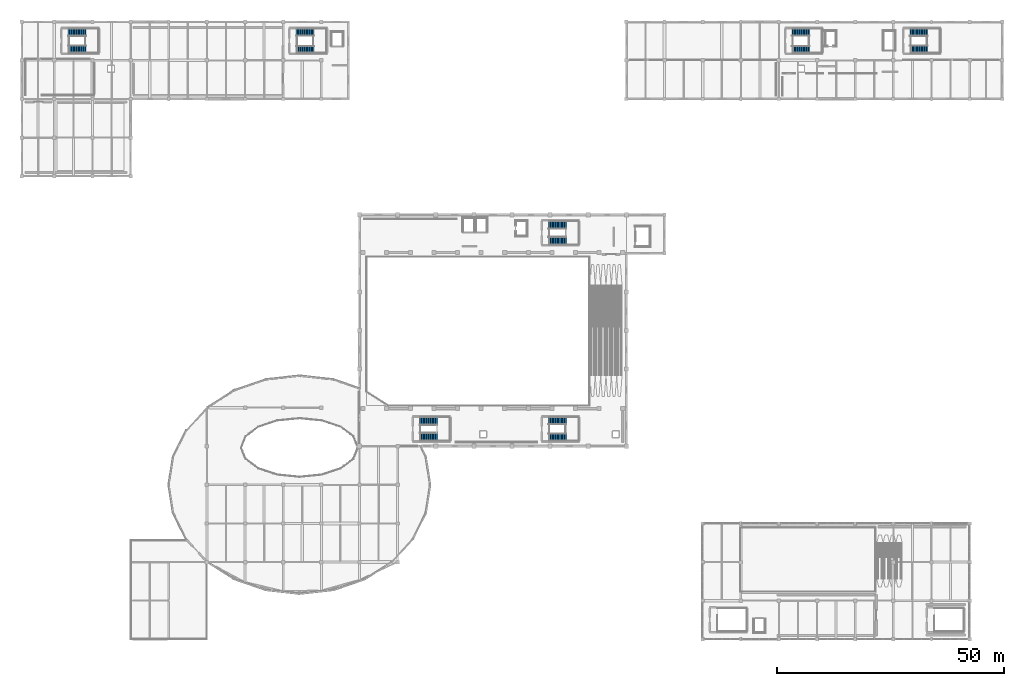
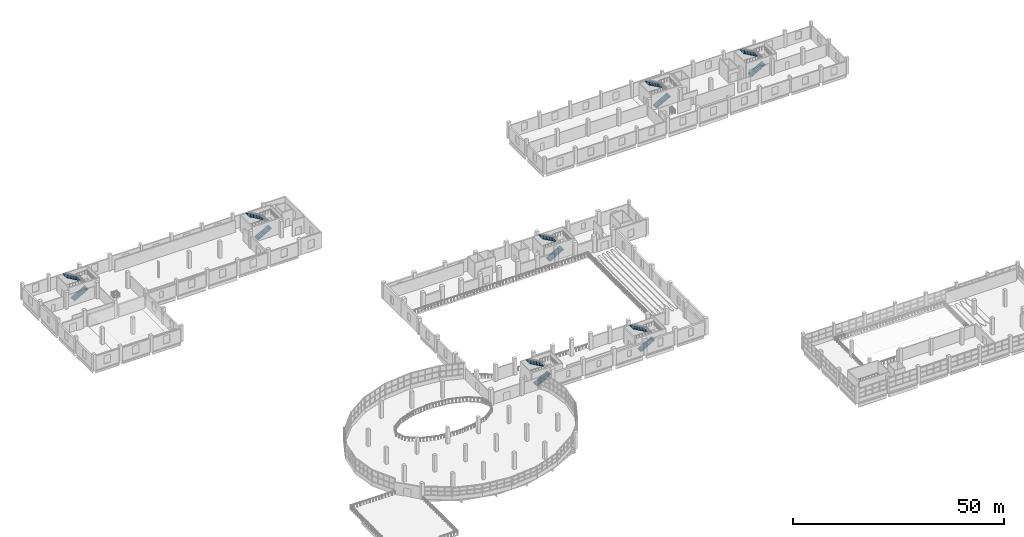
# One storey, part 69 of 77: 14 stair flights, 7 elements without a shape of their own.
"""IFC4 building model written with IfcOpenShell, lengths in metres."""

from ifc_helpers import new_model, si_unit, direction, frame, origin, place, context, subcontext, project, spatial, polyline, outline, extrude, material, type_object, element, aggregate, save


model = new_model("IFC4")

# Units and contexts
model_context = context("Model", 3, precision=1e-05, world=origin(), true_north=direction((0.0, 1.0)))
body_context = subcontext(model_context, "Body", "Model", "MODEL_VIEW")
ifc_project = project(units=[si_unit("LENGTHUNIT", "METRE"), si_unit("AREAUNIT", "SQUARE_METRE"), si_unit("VOLUMEUNIT", "CUBIC_METRE"), si_unit("PLANEANGLEUNIT", "RADIAN"), si_unit("MASSUNIT", "GRAM", prefix="KILO")], contexts=[model_context])

# Site, building, storey
site_placement = place(None, origin())
site = spatial("IfcSite", under=ifc_project, at=site_placement, CompositionType="ELEMENT")
building_placement = place(site_placement, origin())
building = spatial("IfcBuilding", under=site, at=building_placement, Name="Solvento Point Concert Hall", CompositionType="ELEMENT")
storey_placement = place(building_placement, frame((0.0, 0.0, 10.199951171875)))
storey = spatial("IfcBuildingStorey", under=building, at=storey_placement, Name="L02", CompositionType="ELEMENT", Elevation=10.199951171875)

# Stair, stair flights
ifc_material_1 = material(Name="Concrete C35/45", Category="concrete")
stair_type_1 = type_object("IfcStairType", Name="CoreStair_1600", PredefinedType="HALF_TURN_STAIR", material=ifc_material_1)
stair_1_placement = place(storey_placement, origin())
stair_1 = element("IfcStair", 1, at=stair_1_placement, inside=storey, type_object=stair_type_1, Name="Protected exit stair ST-01 (L02 to L03)", PredefinedType="HALF_TURN_STAIR")
ifc_material_2 = material(Name="Concrete C35/45", Category="concrete")
stair_flight_type_1 = type_object("IfcStairFlightType", Name="StairFlight_1600", PredefinedType="STRAIGHT", material=ifc_material_2)
stair_flight_1_placement = place(storey_placement, frame((169.64990234375, 129.89990234375, 0.0), z_axis=(0.0, 0.0, 1.0), x_axis=(1.0, 0.0, 0.0)))
stair_flight_1 = element("IfcStairFlight", 2, at=stair_flight_1_placement, type_object=stair_flight_type_1, Name="Stair flight ST-01 L02 lower", NumberOfRisers=15, NumberOfTreads=14, PredefinedType="STRAIGHT", RiserHeight=0.16, TreadLength=0.28, context=body_context, shape_type="SweptSolid", body=[
    extrude(outline(polyline([(0.0, 0.0), (0.0, 0.159912109375), (0.280029296875, 0.159912109375), (0.280029296875, 0.320068359375), (0.56005859375, 0.320068359375), (0.56005859375, 0.47998046875), (0.840087890625, 0.47998046875), (0.840087890625, 0.639892578125), (1.1201171875, 0.639892578125), (1.1201171875, 0.800048828125), (1.39990234375, 0.800048828125), (1.39990234375, 0.9599609375), (1.679931640625, 0.9599609375), (1.679931640625, 1.1201171875), (1.9599609375, 1.1201171875), (1.9599609375, 1.280029296875), (2.239990234375, 1.280029296875), (2.239990234375, 1.43994140625), (2.52001953125, 1.43994140625), (2.52001953125, 1.60009765625), (2.800048828125, 1.60009765625), (2.800048828125, 1.760009765625), (3.080078125, 1.760009765625), (3.080078125, 1.919921875), (3.360107421875, 1.919921875), (3.360107421875, 2.080078125), (3.639892578125, 2.080078125), (3.639892578125, 2.239990234375), (3.919921875, 2.239990234375), (3.919921875, 2.39990234375), (3.919921875, 2.03271484375), (0.362548828125, 0.0), (0.0, 0.0)])), frame((0.0, 0.800048828125, 0.0), z_axis=(0.0, -1.0, 0.0), x_axis=(1.0, 0.0, 0.0)), (0.0, 0.0, 1.0), 1.60009765625),
])
stair_flight_2_placement = place(storey_placement, frame((173.570068359375, 133.699951171875, 2.400146484375), z_axis=(0.0, 0.0, 1.0), x_axis=(-1.0, 0.0, 0.0)))
stair_flight_2 = element("IfcStairFlight", 3, at=stair_flight_2_placement, type_object=stair_flight_type_1, Name="Stair flight ST-01 L02 upper", NumberOfRisers=15, NumberOfTreads=14, PredefinedType="STRAIGHT", RiserHeight=0.16, TreadLength=0.28, context=body_context, shape_type="SweptSolid", body=[
    extrude(outline(polyline([(0.0, 0.0), (0.0, 0.159912109375), (0.280029296875, 0.159912109375), (0.280029296875, 0.320068359375), (0.56005859375, 0.320068359375), (0.56005859375, 0.47998046875), (0.840087890625, 0.47998046875), (0.840087890625, 0.639892578125), (1.1201171875, 0.639892578125), (1.1201171875, 0.800048828125), (1.39990234375, 0.800048828125), (1.39990234375, 0.9599609375), (1.679931640625, 0.9599609375), (1.679931640625, 1.1201171875), (1.9599609375, 1.1201171875), (1.9599609375, 1.280029296875), (2.239990234375, 1.280029296875), (2.239990234375, 1.43994140625), (2.52001953125, 1.43994140625), (2.52001953125, 1.60009765625), (2.800048828125, 1.60009765625), (2.800048828125, 1.760009765625), (3.080078125, 1.760009765625), (3.080078125, 1.919921875), (3.360107421875, 1.919921875), (3.360107421875, 2.080078125), (3.639892578125, 2.080078125), (3.639892578125, 2.239990234375), (3.919921875, 2.239990234375), (3.919921875, 2.39990234375), (3.919921875, 2.03271484375), (0.362548828125, 0.0), (0.0, 0.0)])), frame((0.0, 0.800048828125, 0.0), z_axis=(0.0, -1.0, 0.0), x_axis=(1.0, 0.0, 0.0)), (0.0, 0.0, 1.0), 1.60009765625),
])
aggregate(stair_1, [stair_flight_1, stair_flight_2])

stair_2_placement = place(storey_placement, origin())
stair_2 = element("IfcStair", 4, at=stair_2_placement, inside=storey, type_object=stair_type_1, Name="Protected exit stair ST-04 (L02 to L03)", PredefinedType="HALF_TURN_STAIR")
stair_flight_3_placement = place(storey_placement, frame((60.449951171875, 129.89990234375, 0.0), z_axis=(0.0, 0.0, 1.0), x_axis=(1.0, 0.0, 0.0)))
stair_flight_3 = element("IfcStairFlight", 5, at=stair_flight_3_placement, type_object=stair_flight_type_1, Name="Stair flight ST-04 L02 lower", NumberOfRisers=15, NumberOfTreads=14, PredefinedType="STRAIGHT", RiserHeight=0.16, TreadLength=0.28, context=body_context, shape_type="SweptSolid", body=[
    extrude(outline(polyline([(0.0, 0.0), (0.0, 0.159912109375), (0.280029296875, 0.159912109375), (0.280029296875, 0.320068359375), (0.56005859375, 0.320068359375), (0.56005859375, 0.47998046875), (0.840087890625, 0.47998046875), (0.840087890625, 0.639892578125), (1.1201171875, 0.639892578125), (1.1201171875, 0.800048828125), (1.39990234375, 0.800048828125), (1.39990234375, 0.9599609375), (1.679931640625, 0.9599609375), (1.679931640625, 1.1201171875), (1.9599609375, 1.1201171875), (1.9599609375, 1.280029296875), (2.239990234375, 1.280029296875), (2.239990234375, 1.43994140625), (2.52001953125, 1.43994140625), (2.52001953125, 1.60009765625), (2.800048828125, 1.60009765625), (2.800048828125, 1.760009765625), (3.080078125, 1.760009765625), (3.080078125, 1.919921875), (3.360107421875, 1.919921875), (3.360107421875, 2.080078125), (3.639892578125, 2.080078125), (3.639892578125, 2.239990234375), (3.919921875, 2.239990234375), (3.919921875, 2.39990234375), (3.919921875, 2.03271484375), (0.362548828125, 0.0), (0.0, 0.0)])), frame((0.0, 0.800048828125, 0.0), z_axis=(0.0, -1.0, 0.0), x_axis=(1.0, 0.0, 0.0)), (0.0, 0.0, 1.0), 1.60009765625),
])
stair_flight_4_placement = place(storey_placement, frame((64.3701171875, 133.699951171875, 2.400146484375), z_axis=(0.0, 0.0, 1.0), x_axis=(-1.0, 0.0, 0.0)))
stair_flight_4 = element("IfcStairFlight", 6, at=stair_flight_4_placement, type_object=stair_flight_type_1, Name="Stair flight ST-04 L02 upper", NumberOfRisers=15, NumberOfTreads=14, PredefinedType="STRAIGHT", RiserHeight=0.16, TreadLength=0.28, context=body_context, shape_type="SweptSolid", body=[
    extrude(outline(polyline([(0.0, 0.0), (0.0, 0.159912109375), (0.280029296875, 0.159912109375), (0.280029296875, 0.320068359375), (0.56005859375, 0.320068359375), (0.56005859375, 0.47998046875), (0.840087890625, 0.47998046875), (0.840087890625, 0.639892578125), (1.1201171875, 0.639892578125), (1.1201171875, 0.800048828125), (1.39990234375, 0.800048828125), (1.39990234375, 0.9599609375), (1.679931640625, 0.9599609375), (1.679931640625, 1.1201171875), (1.9599609375, 1.1201171875), (1.9599609375, 1.280029296875), (2.239990234375, 1.280029296875), (2.239990234375, 1.43994140625), (2.52001953125, 1.43994140625), (2.52001953125, 1.60009765625), (2.800048828125, 1.60009765625), (2.800048828125, 1.760009765625), (3.080078125, 1.760009765625), (3.080078125, 1.919921875), (3.360107421875, 1.919921875), (3.360107421875, 2.080078125), (3.639892578125, 2.080078125), (3.639892578125, 2.239990234375), (3.919921875, 2.239990234375), (3.919921875, 2.39990234375), (3.919921875, 2.03271484375), (0.362548828125, 0.0), (0.0, 0.0)])), frame((0.0, 0.800048828125, 0.0), z_axis=(0.0, -1.0, 0.0), x_axis=(1.0, 0.0, 0.0)), (0.0, 0.0, 1.0), 1.60009765625),
])
aggregate(stair_2, [stair_flight_3, stair_flight_4])

stair_3_placement = place(storey_placement, origin())
stair_3 = element("IfcStair", 7, at=stair_3_placement, inside=storey, type_object=stair_type_1, Name="Protected exit stair ST-07 (L02 to L03)", PredefinedType="HALF_TURN_STAIR")
stair_flight_5_placement = place(storey_placement, frame((116.050048828125, 44.5, 0.0), z_axis=(0.0, 0.0, 1.0), x_axis=(1.0, 0.0, 0.0)))
stair_flight_5 = element("IfcStairFlight", 8, at=stair_flight_5_placement, type_object=stair_flight_type_1, Name="Stair flight ST-07 L02 lower", NumberOfRisers=15, NumberOfTreads=14, PredefinedType="STRAIGHT", RiserHeight=0.16, TreadLength=0.28, context=body_context, shape_type="SweptSolid", body=[
    extrude(outline(polyline([(0.0, 0.0), (0.0, 0.159912109375), (0.280029296875, 0.159912109375), (0.280029296875, 0.320068359375), (0.56005859375, 0.320068359375), (0.56005859375, 0.47998046875), (0.840087890625, 0.47998046875), (0.840087890625, 0.639892578125), (1.1201171875, 0.639892578125), (1.1201171875, 0.800048828125), (1.39990234375, 0.800048828125), (1.39990234375, 0.9599609375), (1.679931640625, 0.9599609375), (1.679931640625, 1.1201171875), (1.9599609375, 1.1201171875), (1.9599609375, 1.280029296875), (2.239990234375, 1.280029296875), (2.239990234375, 1.43994140625), (2.52001953125, 1.43994140625), (2.52001953125, 1.60009765625), (2.800048828125, 1.60009765625), (2.800048828125, 1.760009765625), (3.080078125, 1.760009765625), (3.080078125, 1.919921875), (3.360107421875, 1.919921875), (3.360107421875, 2.080078125), (3.639892578125, 2.080078125), (3.639892578125, 2.239990234375), (3.919921875, 2.239990234375), (3.919921875, 2.39990234375), (3.919921875, 2.03271484375), (0.362548828125, 0.0), (0.0, 0.0)])), frame((0.0, 0.800048828125, 0.0), z_axis=(0.0, -1.0, 0.0), x_axis=(1.0, 0.0, 0.0)), (0.0, 0.0, 1.0), 1.60009765625),
])
stair_flight_6_placement = place(storey_placement, frame((119.969970703125, 48.10009765625, 2.400146484375), z_axis=(0.0, 0.0, 1.0), x_axis=(-1.0, 0.0, 0.0)))
stair_flight_6 = element("IfcStairFlight", 9, at=stair_flight_6_placement, type_object=stair_flight_type_1, Name="Stair flight ST-07 L02 upper", NumberOfRisers=15, NumberOfTreads=14, PredefinedType="STRAIGHT", RiserHeight=0.16, TreadLength=0.28, context=body_context, shape_type="SweptSolid", body=[
    extrude(outline(polyline([(0.0, 0.0), (0.0, 0.159912109375), (0.280029296875, 0.159912109375), (0.280029296875, 0.320068359375), (0.56005859375, 0.320068359375), (0.56005859375, 0.47998046875), (0.840087890625, 0.47998046875), (0.840087890625, 0.639892578125), (1.1201171875, 0.639892578125), (1.1201171875, 0.800048828125), (1.39990234375, 0.800048828125), (1.39990234375, 0.9599609375), (1.679931640625, 0.9599609375), (1.679931640625, 1.1201171875), (1.9599609375, 1.1201171875), (1.9599609375, 1.280029296875), (2.239990234375, 1.280029296875), (2.239990234375, 1.43994140625), (2.52001953125, 1.43994140625), (2.52001953125, 1.60009765625), (2.800048828125, 1.60009765625), (2.800048828125, 1.760009765625), (3.080078125, 1.760009765625), (3.080078125, 1.919921875), (3.360107421875, 1.919921875), (3.360107421875, 2.080078125), (3.639892578125, 2.080078125), (3.639892578125, 2.239990234375), (3.919921875, 2.239990234375), (3.919921875, 2.39990234375), (3.919921875, 2.03271484375), (0.362548828125, 0.0), (0.0, 0.0)])), frame((0.0, 0.800048828125, 0.0), z_axis=(0.0, -1.0, 0.0), x_axis=(1.0, 0.0, 0.0)), (0.0, 0.0, 1.0), 1.60009765625),
])
aggregate(stair_3, [stair_flight_5, stair_flight_6])

ifc_material_3 = material(Name="Concrete C35/45", Category="concrete")
stair_type_2 = type_object("IfcStairType", Name="CoreStair_1680", PredefinedType="HALF_TURN_STAIR", material=ifc_material_3)
stair_4_placement = place(storey_placement, origin())
stair_4 = element("IfcStair", 10, at=stair_4_placement, inside=storey, type_object=stair_type_2, Name="Protected exit stair ST-02 (L02 to L03)", PredefinedType="HALF_TURN_STAIR")
ifc_material_4 = material(Name="Concrete C35/45", Category="concrete")
stair_flight_type_2 = type_object("IfcStairFlightType", Name="StairFlight_1680", PredefinedType="STRAIGHT", material=ifc_material_4)
stair_flight_7_placement = place(storey_placement, frame((195.64990234375, 129.93994140625, 0.0), z_axis=(0.0, 0.0, 1.0), x_axis=(1.0, 0.0, 0.0)))
stair_flight_7 = element("IfcStairFlight", 11, at=stair_flight_7_placement, type_object=stair_flight_type_2, Name="Stair flight ST-02 L02 lower", NumberOfRisers=15, NumberOfTreads=14, PredefinedType="STRAIGHT", RiserHeight=0.16, TreadLength=0.28, context=body_context, shape_type="SweptSolid", body=[
    extrude(outline(polyline([(0.0, 0.0), (0.0, 0.159912109375), (0.280029296875, 0.159912109375), (0.280029296875, 0.320068359375), (0.56005859375, 0.320068359375), (0.56005859375, 0.47998046875), (0.840087890625, 0.47998046875), (0.840087890625, 0.639892578125), (1.1201171875, 0.639892578125), (1.1201171875, 0.800048828125), (1.39990234375, 0.800048828125), (1.39990234375, 0.9599609375), (1.679931640625, 0.9599609375), (1.679931640625, 1.1201171875), (1.9599609375, 1.1201171875), (1.9599609375, 1.280029296875), (2.239990234375, 1.280029296875), (2.239990234375, 1.43994140625), (2.52001953125, 1.43994140625), (2.52001953125, 1.60009765625), (2.800048828125, 1.60009765625), (2.800048828125, 1.760009765625), (3.080078125, 1.760009765625), (3.080078125, 1.919921875), (3.360107421875, 1.919921875), (3.360107421875, 2.080078125), (3.639892578125, 2.080078125), (3.639892578125, 2.239990234375), (3.919921875, 2.239990234375), (3.919921875, 2.39990234375), (3.919921875, 2.03271484375), (0.362548828125, 0.0), (0.0, 0.0)])), frame((0.0, 0.83984375, 0.0), z_axis=(0.0, -1.0, 0.0), x_axis=(1.0, 0.0, 0.0)), (0.0, 0.0, 1.0), 1.679931640625),
])
stair_flight_8_placement = place(storey_placement, frame((199.570068359375, 133.659912109375, 2.400146484375), z_axis=(0.0, 0.0, 1.0), x_axis=(-1.0, 0.0, 0.0)))
stair_flight_8 = element("IfcStairFlight", 12, at=stair_flight_8_placement, type_object=stair_flight_type_2, Name="Stair flight ST-02 L02 upper", NumberOfRisers=15, NumberOfTreads=14, PredefinedType="STRAIGHT", RiserHeight=0.16, TreadLength=0.28, context=body_context, shape_type="SweptSolid", body=[
    extrude(outline(polyline([(0.0, 0.0), (0.0, 0.159912109375), (0.280029296875, 0.159912109375), (0.280029296875, 0.320068359375), (0.56005859375, 0.320068359375), (0.56005859375, 0.47998046875), (0.840087890625, 0.47998046875), (0.840087890625, 0.639892578125), (1.1201171875, 0.639892578125), (1.1201171875, 0.800048828125), (1.39990234375, 0.800048828125), (1.39990234375, 0.9599609375), (1.679931640625, 0.9599609375), (1.679931640625, 1.1201171875), (1.9599609375, 1.1201171875), (1.9599609375, 1.280029296875), (2.239990234375, 1.280029296875), (2.239990234375, 1.43994140625), (2.52001953125, 1.43994140625), (2.52001953125, 1.60009765625), (2.800048828125, 1.60009765625), (2.800048828125, 1.760009765625), (3.080078125, 1.760009765625), (3.080078125, 1.919921875), (3.360107421875, 1.919921875), (3.360107421875, 2.080078125), (3.639892578125, 2.080078125), (3.639892578125, 2.239990234375), (3.919921875, 2.239990234375), (3.919921875, 2.39990234375), (3.919921875, 2.03271484375), (0.362548828125, 0.0), (0.0, 0.0)])), frame((0.0, 0.83984375, 0.0), z_axis=(0.0, -1.0, 0.0), x_axis=(1.0, 0.0, 0.0)), (0.0, 0.0, 1.0), 1.679931640625),
])
aggregate(stair_4, [stair_flight_7, stair_flight_8])

stair_5_placement = place(storey_placement, origin())
stair_5 = element("IfcStair", 13, at=stair_5_placement, inside=storey, type_object=stair_type_2, Name="Protected exit stair ST-05 (L02 to L03)", PredefinedType="HALF_TURN_STAIR")
stair_flight_9_placement = place(storey_placement, frame((10.25, 129.93994140625, 0.0), z_axis=(0.0, 0.0, 1.0), x_axis=(1.0, 0.0, 0.0)))
stair_flight_9 = element("IfcStairFlight", 14, at=stair_flight_9_placement, type_object=stair_flight_type_2, Name="Stair flight ST-05 L02 lower", NumberOfRisers=15, NumberOfTreads=14, PredefinedType="STRAIGHT", RiserHeight=0.16, TreadLength=0.28, context=body_context, shape_type="SweptSolid", body=[
    extrude(outline(polyline([(0.0, 0.0), (0.0, 0.159912109375), (0.280029296875, 0.159912109375), (0.280029296875, 0.320068359375), (0.56005859375, 0.320068359375), (0.56005859375, 0.47998046875), (0.840087890625, 0.47998046875), (0.840087890625, 0.639892578125), (1.1201171875, 0.639892578125), (1.1201171875, 0.800048828125), (1.39990234375, 0.800048828125), (1.39990234375, 0.9599609375), (1.679931640625, 0.9599609375), (1.679931640625, 1.1201171875), (1.9599609375, 1.1201171875), (1.9599609375, 1.280029296875), (2.239990234375, 1.280029296875), (2.239990234375, 1.43994140625), (2.52001953125, 1.43994140625), (2.52001953125, 1.60009765625), (2.800048828125, 1.60009765625), (2.800048828125, 1.760009765625), (3.080078125, 1.760009765625), (3.080078125, 1.919921875), (3.360107421875, 1.919921875), (3.360107421875, 2.080078125), (3.639892578125, 2.080078125), (3.639892578125, 2.239990234375), (3.919921875, 2.239990234375), (3.919921875, 2.39990234375), (3.919921875, 2.03271484375), (0.362548828125, 0.0), (0.0, 0.0)])), frame((0.0, 0.83984375, 0.0), z_axis=(0.0, -1.0, 0.0), x_axis=(1.0, 0.0, 0.0)), (0.0, 0.0, 1.0), 1.679931640625),
])
stair_flight_10_placement = place(storey_placement, frame((14.169921875, 133.659912109375, 2.400146484375), z_axis=(0.0, 0.0, 1.0), x_axis=(-1.0, 0.0, 0.0)))
stair_flight_10 = element("IfcStairFlight", 15, at=stair_flight_10_placement, type_object=stair_flight_type_2, Name="Stair flight ST-05 L02 upper", NumberOfRisers=15, NumberOfTreads=14, PredefinedType="STRAIGHT", RiserHeight=0.16, TreadLength=0.28, context=body_context, shape_type="SweptSolid", body=[
    extrude(outline(polyline([(0.0, 0.0), (0.0, 0.159912109375), (0.280029296875, 0.159912109375), (0.280029296875, 0.320068359375), (0.56005859375, 0.320068359375), (0.56005859375, 0.47998046875), (0.840087890625, 0.47998046875), (0.840087890625, 0.639892578125), (1.1201171875, 0.639892578125), (1.1201171875, 0.800048828125), (1.39990234375, 0.800048828125), (1.39990234375, 0.9599609375), (1.679931640625, 0.9599609375), (1.679931640625, 1.1201171875), (1.9599609375, 1.1201171875), (1.9599609375, 1.280029296875), (2.239990234375, 1.280029296875), (2.239990234375, 1.43994140625), (2.52001953125, 1.43994140625), (2.52001953125, 1.60009765625), (2.800048828125, 1.60009765625), (2.800048828125, 1.760009765625), (3.080078125, 1.760009765625), (3.080078125, 1.919921875), (3.360107421875, 1.919921875), (3.360107421875, 2.080078125), (3.639892578125, 2.080078125), (3.639892578125, 2.239990234375), (3.919921875, 2.239990234375), (3.919921875, 2.39990234375), (3.919921875, 2.03271484375), (0.362548828125, 0.0), (0.0, 0.0)])), frame((0.0, 0.83984375, 0.0), z_axis=(0.0, -1.0, 0.0), x_axis=(1.0, 0.0, 0.0)), (0.0, 0.0, 1.0), 1.679931640625),
])
aggregate(stair_5, [stair_flight_9, stair_flight_10])

ifc_material_5 = material(Name="Concrete C35/45", Category="concrete")
stair_type_3 = type_object("IfcStairType", Name="CoreStair_1760", PredefinedType="HALF_TURN_STAIR", material=ifc_material_5)
stair_6_placement = place(storey_placement, origin())
stair_6 = element("IfcStair", 16, at=stair_6_placement, inside=storey, type_object=stair_type_3, Name="Protected exit stair ST-03 (L02 to L03)", PredefinedType="HALF_TURN_STAIR")
ifc_material_6 = material(Name="Concrete C35/45", Category="concrete")
stair_flight_type_3 = type_object("IfcStairFlightType", Name="StairFlight_1760", PredefinedType="STRAIGHT", material=ifc_material_6)
stair_flight_11_placement = place(storey_placement, frame((116.050048828125, 87.780029296875, 0.0), z_axis=(0.0, 0.0, 1.0), x_axis=(1.0, 0.0, 0.0)))
stair_flight_11 = element("IfcStairFlight", 17, at=stair_flight_11_placement, type_object=stair_flight_type_3, Name="Stair flight ST-03 L02 lower", NumberOfRisers=15, NumberOfTreads=14, PredefinedType="STRAIGHT", RiserHeight=0.16, TreadLength=0.28, context=body_context, shape_type="SweptSolid", body=[
    extrude(outline(polyline([(0.0, 0.0), (0.0, 0.159912109375), (0.280029296875, 0.159912109375), (0.280029296875, 0.320068359375), (0.56005859375, 0.320068359375), (0.56005859375, 0.47998046875), (0.840087890625, 0.47998046875), (0.840087890625, 0.639892578125), (1.1201171875, 0.639892578125), (1.1201171875, 0.800048828125), (1.39990234375, 0.800048828125), (1.39990234375, 0.9599609375), (1.679931640625, 0.9599609375), (1.679931640625, 1.1201171875), (1.9599609375, 1.1201171875), (1.9599609375, 1.280029296875), (2.239990234375, 1.280029296875), (2.239990234375, 1.43994140625), (2.52001953125, 1.43994140625), (2.52001953125, 1.60009765625), (2.800048828125, 1.60009765625), (2.800048828125, 1.760009765625), (3.080078125, 1.760009765625), (3.080078125, 1.919921875), (3.360107421875, 1.919921875), (3.360107421875, 2.080078125), (3.639892578125, 2.080078125), (3.639892578125, 2.239990234375), (3.919921875, 2.239990234375), (3.919921875, 2.39990234375), (3.919921875, 2.03271484375), (0.362548828125, 0.0), (0.0, 0.0)])), frame((0.0, 0.8798828125, 0.0), z_axis=(0.0, -1.0, 0.0), x_axis=(1.0, 0.0, 0.0)), (0.0, 0.0, 1.0), 1.760009765625),
])
stair_flight_12_placement = place(storey_placement, frame((119.969970703125, 91.219970703125, 2.400146484375), z_axis=(0.0, 0.0, 1.0), x_axis=(-1.0, 0.0, 0.0)))
stair_flight_12 = element("IfcStairFlight", 18, at=stair_flight_12_placement, type_object=stair_flight_type_3, Name="Stair flight ST-03 L02 upper", NumberOfRisers=15, NumberOfTreads=14, PredefinedType="STRAIGHT", RiserHeight=0.16, TreadLength=0.28, context=body_context, shape_type="SweptSolid", body=[
    extrude(outline(polyline([(0.0, 0.0), (0.0, 0.159912109375), (0.280029296875, 0.159912109375), (0.280029296875, 0.320068359375), (0.56005859375, 0.320068359375), (0.56005859375, 0.47998046875), (0.840087890625, 0.47998046875), (0.840087890625, 0.639892578125), (1.1201171875, 0.639892578125), (1.1201171875, 0.800048828125), (1.39990234375, 0.800048828125), (1.39990234375, 0.9599609375), (1.679931640625, 0.9599609375), (1.679931640625, 1.1201171875), (1.9599609375, 1.1201171875), (1.9599609375, 1.280029296875), (2.239990234375, 1.280029296875), (2.239990234375, 1.43994140625), (2.52001953125, 1.43994140625), (2.52001953125, 1.60009765625), (2.800048828125, 1.60009765625), (2.800048828125, 1.760009765625), (3.080078125, 1.760009765625), (3.080078125, 1.919921875), (3.360107421875, 1.919921875), (3.360107421875, 2.080078125), (3.639892578125, 2.080078125), (3.639892578125, 2.239990234375), (3.919921875, 2.239990234375), (3.919921875, 2.39990234375), (3.919921875, 2.03271484375), (0.362548828125, 0.0), (0.0, 0.0)])), frame((0.0, 0.8798828125, 0.0), z_axis=(0.0, -1.0, 0.0), x_axis=(1.0, 0.0, 0.0)), (0.0, 0.0, 1.0), 1.760009765625),
])
aggregate(stair_6, [stair_flight_11, stair_flight_12])

stair_7_placement = place(storey_placement, origin())
stair_7 = element("IfcStair", 19, at=stair_7_placement, inside=storey, type_object=stair_type_3, Name="Protected exit stair ST-06 (L02 to L03)", PredefinedType="HALF_TURN_STAIR")
stair_flight_13_placement = place(storey_placement, frame((87.64990234375, 44.580078125, 0.0), z_axis=(0.0, 0.0, 1.0), x_axis=(1.0, 0.0, 0.0)))
stair_flight_13 = element("IfcStairFlight", 20, at=stair_flight_13_placement, type_object=stair_flight_type_3, Name="Stair flight ST-06 L02 lower", NumberOfRisers=15, NumberOfTreads=14, PredefinedType="STRAIGHT", RiserHeight=0.16, TreadLength=0.28, context=body_context, shape_type="SweptSolid", body=[
    extrude(outline(polyline([(0.0, 0.0), (0.0, 0.159912109375), (0.280029296875, 0.159912109375), (0.280029296875, 0.320068359375), (0.56005859375, 0.320068359375), (0.56005859375, 0.47998046875), (0.840087890625, 0.47998046875), (0.840087890625, 0.639892578125), (1.1201171875, 0.639892578125), (1.1201171875, 0.800048828125), (1.39990234375, 0.800048828125), (1.39990234375, 0.9599609375), (1.679931640625, 0.9599609375), (1.679931640625, 1.1201171875), (1.9599609375, 1.1201171875), (1.9599609375, 1.280029296875), (2.239990234375, 1.280029296875), (2.239990234375, 1.43994140625), (2.52001953125, 1.43994140625), (2.52001953125, 1.60009765625), (2.800048828125, 1.60009765625), (2.800048828125, 1.760009765625), (3.080078125, 1.760009765625), (3.080078125, 1.919921875), (3.360107421875, 1.919921875), (3.360107421875, 2.080078125), (3.639892578125, 2.080078125), (3.639892578125, 2.239990234375), (3.919921875, 2.239990234375), (3.919921875, 2.39990234375), (3.919921875, 2.03271484375), (0.362548828125, 0.0), (0.0, 0.0)])), frame((0.0, 0.8798828125, 0.0), z_axis=(0.0, -1.0, 0.0), x_axis=(1.0, 0.0, 0.0)), (0.0, 0.0, 1.0), 1.760009765625),
])
stair_flight_14_placement = place(storey_placement, frame((91.570068359375, 48.02001953125, 2.400146484375), z_axis=(0.0, 0.0, 1.0), x_axis=(-1.0, 0.0, 0.0)))
stair_flight_14 = element("IfcStairFlight", 21, at=stair_flight_14_placement, type_object=stair_flight_type_3, Name="Stair flight ST-06 L02 upper", NumberOfRisers=15, NumberOfTreads=14, PredefinedType="STRAIGHT", RiserHeight=0.16, TreadLength=0.28, context=body_context, shape_type="SweptSolid", body=[
    extrude(outline(polyline([(0.0, 0.0), (0.0, 0.159912109375), (0.280029296875, 0.159912109375), (0.280029296875, 0.320068359375), (0.56005859375, 0.320068359375), (0.56005859375, 0.47998046875), (0.840087890625, 0.47998046875), (0.840087890625, 0.639892578125), (1.1201171875, 0.639892578125), (1.1201171875, 0.800048828125), (1.39990234375, 0.800048828125), (1.39990234375, 0.9599609375), (1.679931640625, 0.9599609375), (1.679931640625, 1.1201171875), (1.9599609375, 1.1201171875), (1.9599609375, 1.280029296875), (2.239990234375, 1.280029296875), (2.239990234375, 1.43994140625), (2.52001953125, 1.43994140625), (2.52001953125, 1.60009765625), (2.800048828125, 1.60009765625), (2.800048828125, 1.760009765625), (3.080078125, 1.760009765625), (3.080078125, 1.919921875), (3.360107421875, 1.919921875), (3.360107421875, 2.080078125), (3.639892578125, 2.080078125), (3.639892578125, 2.239990234375), (3.919921875, 2.239990234375), (3.919921875, 2.39990234375), (3.919921875, 2.03271484375), (0.362548828125, 0.0), (0.0, 0.0)])), frame((0.0, 0.8798828125, 0.0), z_axis=(0.0, -1.0, 0.0), x_axis=(1.0, 0.0, 0.0)), (0.0, 0.0, 1.0), 1.760009765625),
])
aggregate(stair_7, [stair_flight_13, stair_flight_14])

save(model, "model.ifc")
